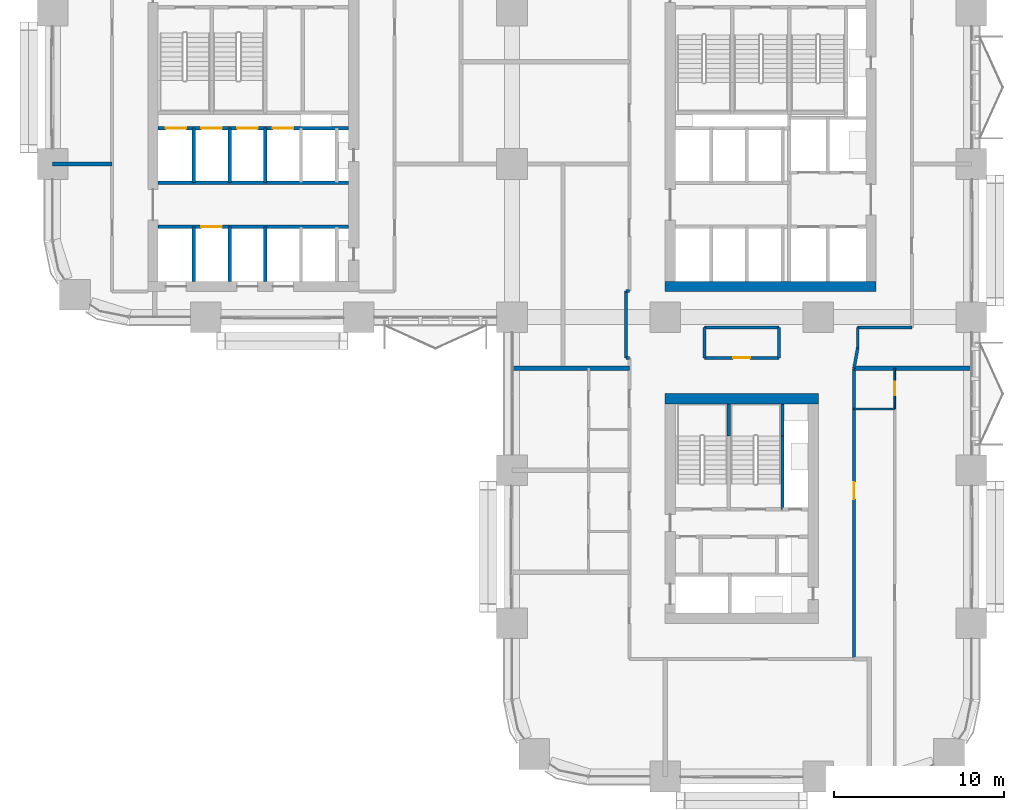
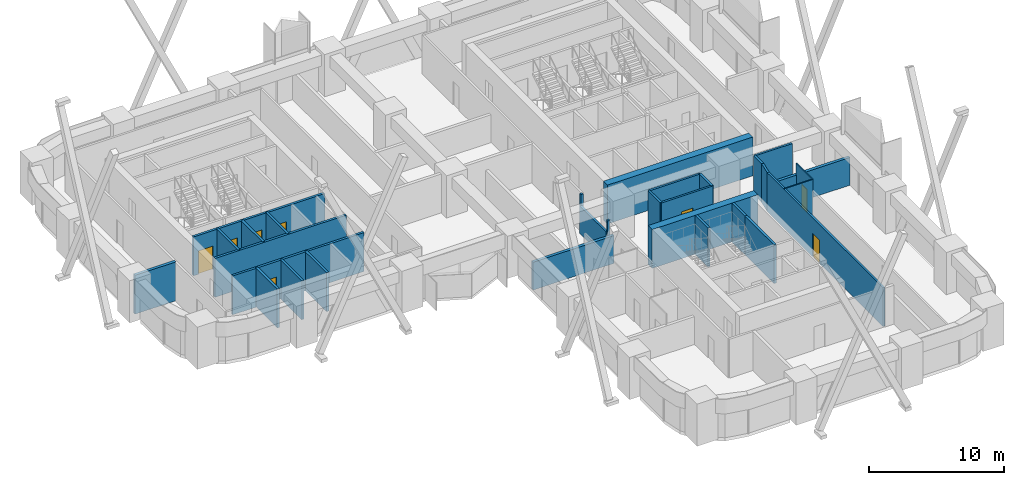
# One storey, part 14 of 19: 30 walls, 8 doors, 8 openings.
"""IFC4 building model written with IfcOpenShell, lengths in metres."""

from ifc_helpers import new_model, si_unit, direction, frame, frame_2d, origin, place, context, subcontext, project, spatial, rectangle, extrude, material, layer, layer_set, type_object, element, fill, save


model = new_model("IFC4")

# Units and contexts
model_context = context("Model", 3, precision=1e-05, world=origin(), true_north=direction((0.0, 1.0)))
body_context = subcontext(model_context, "Body", "Model", "MODEL_VIEW")
ifc_project = project(units=[si_unit("LENGTHUNIT", "METRE"), si_unit("AREAUNIT", "SQUARE_METRE"), si_unit("VOLUMEUNIT", "CUBIC_METRE"), si_unit("PLANEANGLEUNIT", "RADIAN"), si_unit("MASSUNIT", "GRAM", prefix="KILO")], contexts=[model_context])

# Site, building, storey
site_placement = place(None, origin())
site = spatial("IfcSite", under=ifc_project, at=site_placement, CompositionType="ELEMENT")
building_placement = place(site_placement, origin())
building = spatial("IfcBuilding", under=site, at=building_placement, Name="Tessera Arch", CompositionType="ELEMENT")
storey_placement = place(building_placement, frame((0.0, 0.0, 93.0)))
storey = spatial("IfcBuildingStorey", under=building, at=storey_placement, Name="L21", CompositionType="ELEMENT", Elevation=93.0)

# Walls
ifc_material_1 = material(Name="Concrete C70/85", Category="concrete")
ifc_layer_1 = layer(ifc_material_1, 0.60009765625)
ifc_layer_set_1 = layer_set([ifc_layer_1], Name="Core shell wall 600 C70-85")
wall_type_1 = type_object("IfcWallType", Name="Core shell wall 600 C70-85", PredefinedType="SHEAR", material=ifc_layer_set_1)
wall_1_placement = place(storey_placement, frame((36.0, 28.800048828125, 0.0), z_axis=(0.0, 0.0, 1.0), x_axis=(1.0, 0.0, 0.0)))
element("IfcWall", 1, at=wall_1_placement, inside=storey, type_object=wall_type_1, Name="L21 C1 core wall S", PredefinedType="SHEAR", context=body_context, shape_type="SweptSolid", body=[
    extrude(rectangle(XDim=12.39990234375, YDim=0.60009765625, at=frame_2d((6.199951171875, 0.0))), origin(), (0.0, 0.0, 1.0), 3.5),
])
wall_2_placement = place(storey_placement, frame((36.0, 22.199951171875, 0.0), z_axis=(0.0, 0.0, 1.0), x_axis=(1.0, 0.0, 0.0)))
element("IfcWall", 2, at=wall_2_placement, inside=storey, type_object=wall_type_1, Name="L21 C3 core wall N", PredefinedType="SHEAR", context=body_context, shape_type="SweptSolid", body=[
    extrude(rectangle(XDim=9.0, YDim=0.60009765625, at=frame_2d((4.5, 0.0))), origin(), (0.0, 0.0, 1.0), 3.5),
])
ifc_material_2 = material(Name="Gypsum board on deep steel stud with mineral wool", Category="steel")
ifc_layer_2 = layer(ifc_material_2, 0.175048828125)
ifc_layer_set_2 = layer_set([ifc_layer_2], Name="Corridor wall 175 EI 60")
wall_type_2 = type_object("IfcWallType", Name="Corridor wall 175 EI 60", PredefinedType="PARTITIONING", material=ifc_layer_set_2)
wall_3_placement = place(storey_placement, frame((33.699951171875, 24.590087890625, 0.0), z_axis=(0.0, 0.0, 1.0), x_axis=(1.0, 0.0, 0.0)))
element("IfcWall", 3, at=wall_3_placement, inside=storey, type_object=wall_type_2, Name="L21 partition 2", PredefinedType="PARTITIONING", context=body_context, shape_type="SweptSolid", body=[
    extrude(rectangle(XDim=0.199951171875, YDim=0.175048828125, at=frame_2d((0.10009765625, 0.0))), origin(), (0.0, 0.0, 1.0), 3.5),
])

# Wall, opening, door
wall_4_placement = place(storey_placement, frame((38.320068359375, 24.60009765625, 0.0), z_axis=(0.0, 0.0, 1.0), x_axis=(1.0, 0.0, 0.0)))
wall_4 = element("IfcWall", 4, at=wall_4_placement, inside=storey, type_object=wall_type_2, Name="L21 partition 3", PredefinedType="PARTITIONING", context=body_context, shape_type="SweptSolid", body=[
    extrude(rectangle(XDim=4.35986328125, YDim=0.175048828125, at=frame_2d((2.179931640625, 0.0))), origin(), (0.0, 0.0, 1.0), 3.5),
])
opening_1_placement = place(wall_4_placement, frame((1.679931640625, 0.0, 0.0)))
opening_1 = element("IfcOpeningElement", 5, at=opening_1_placement, cuts=wall_4, Name="Opening L21-D012", PredefinedType="OPENING", context=body_context, shape_type="SweptSolid", body=[
    extrude(rectangle(XDim=1.0, YDim=2.10009765625, at=frame_2d((0.5, 1.050048828125))), frame((0.0, 0.097412109375, 0.0), z_axis=(0.0, -1.0, 0.0), x_axis=(1.0, 0.0, 0.0)), (0.0, 0.0, 1.0), 0.195068359375),
])
ifc_material_3 = material(Name="Fire-rated door leaf")
door_type_1 = type_object("IfcDoorType", Name="Entrance door FD30S 1000 x 2100", OperationType="SINGLE_SWING_LEFT", PredefinedType="DOOR", material=ifc_material_3)
door_1_placement = place(opening_1_placement, origin())
door_1 = element("IfcDoor", 6, at=door_1_placement, inside=storey, type_object=door_type_1, Name="L21 door D012 type D03", OperationType="SINGLE_SWING_RIGHT", OverallHeight=2.10009765625, OverallWidth=1.0, PredefinedType="DOOR", context=body_context, shape_type="SweptSolid", body=[
    extrude(rectangle(XDim=1.0, YDim=2.10009765625, at=frame_2d((0.5, 1.050048828125))), frame((0.0, 0.02490234375, 0.0), z_axis=(0.0, -1.0, 0.0), x_axis=(1.0, 0.0, 0.0)), (0.0, 0.0, 1.0), 0.050048828125),
])
fill(opening_1, door_1)

# Walls
wall_5_placement = place(storey_placement, frame((38.320068359375, 26.39990234375, 0.0), z_axis=(0.0, 0.0, 1.0), x_axis=(1.0, 0.0, 0.0)))
element("IfcWall", 7, at=wall_5_placement, inside=storey, type_object=wall_type_2, Name="L21 partition 4", PredefinedType="PARTITIONING", context=body_context, shape_type="SweptSolid", body=[
    extrude(rectangle(XDim=4.35986328125, YDim=0.175048828125, at=frame_2d((2.179931640625, 0.0))), origin(), (0.0, 0.0, 1.0), 3.5),
])
wall_6_placement = place(storey_placement, frame((47.320068359375, 26.39990234375, 0.0), z_axis=(0.0, 0.0, 1.0), x_axis=(1.0, 0.0, 0.0)))
element("IfcWall", 8, at=wall_6_placement, inside=storey, type_object=wall_type_2, Name="L21 partition 5", PredefinedType="PARTITIONING", context=body_context, shape_type="SweptSolid", body=[
    extrude(rectangle(XDim=3.179931640625, YDim=0.175048828125, at=frame_2d((1.58984375, 0.0))), origin(), (0.0, 0.0, 1.0), 3.5),
])
wall_7_placement = place(storey_placement, frame((33.699951171875, 28.52001953125, 0.0), z_axis=(0.0, 0.0, 1.0), x_axis=(1.0, 0.0, 0.0)))
element("IfcWall", 9, at=wall_7_placement, inside=storey, type_object=wall_type_2, Name="L21 partition 8", PredefinedType="PARTITIONING", context=body_context, shape_type="SweptSolid", body=[
    extrude(rectangle(XDim=0.199951171875, YDim=0.175048828125, at=frame_2d((0.10009765625, 0.0))), origin(), (0.0, 0.0, 1.0), 3.5),
])
wall_8_placement = place(storey_placement, frame((33.699951171875, 24.590087890625, 0.0), z_axis=(0.0, 0.0, 1.0), x_axis=(0.0, 1.0, 0.0)))
element("IfcWall", 10, at=wall_8_placement, inside=storey, type_object=wall_type_2, Name="L21 partition 13", PredefinedType="PARTITIONING", context=body_context, shape_type="SweptSolid", body=[
    extrude(rectangle(XDim=3.929931640625, YDim=0.175048828125, at=frame_2d((1.96484375, 0.0))), origin(), (0.0, 0.0, 1.0), 2.5),
])
for number, where, z_axis, x_axis, name in (
    (11, (38.320068359375, 24.60009765625, 0.0), (0.0, 0.0, 1.0), (0.0, 1.0, 0.0), "L21 partition 16"),
    (12, (42.679931640625, 24.60009765625, 0.0), (0.0, 0.0, 1.0), (0.0, 1.0, 0.0), "L21 partition 17"),
):
    element("IfcWall", number, at=place(storey_placement, frame(where, z_axis=z_axis, x_axis=x_axis)), inside=storey, type_object=wall_type_2, Name=name, PredefinedType="PARTITIONING", context=body_context, shape_type="SweptSolid", body=[
        extrude(rectangle(XDim=1.7998046875, YDim=0.175048828125, at=frame_2d((0.89990234375, 0.0))), origin(), (0.0, 0.0, 1.0), 3.5),
    ])

# Wall, opening, door
wall_9_placement = place(storey_placement, frame((47.10009765625, 6.89990234375, 0.0), z_axis=(0.0, 0.0, 1.0), x_axis=(0.0, 1.0, 0.0)))
wall_9 = element("IfcWall", 13, at=wall_9_placement, inside=storey, type_object=wall_type_2, Name="L21 partition 18", PredefinedType="PARTITIONING", context=body_context, shape_type="SweptSolid", body=[
    extrude(rectangle(XDim=17.090087890625, YDim=0.175048828125, at=frame_2d((8.544921875, 0.0))), origin(), (0.0, 0.0, 1.0), 3.5),
])
opening_2_placement = place(wall_9_placement, frame((9.39990234375, 0.0, 0.0)))
opening_2 = element("IfcOpeningElement", 14, at=opening_2_placement, cuts=wall_9, Name="Opening L21-D003", PredefinedType="OPENING", context=body_context, shape_type="SweptSolid", body=[
    extrude(rectangle(XDim=1.0, YDim=2.10009765625, at=frame_2d((0.5, 1.050048828125))), frame((0.0, 0.097412109375, 0.0), z_axis=(0.0, -1.0, 0.0), x_axis=(1.0, 0.0, 0.0)), (0.0, 0.0, 1.0), 0.195068359375),
])
door_2_placement = place(opening_2_placement, origin())
door_2 = element("IfcDoor", 15, at=door_2_placement, inside=storey, type_object=door_type_1, Name="L21 door D003 type D03", OperationType="SINGLE_SWING_RIGHT", OverallHeight=2.10009765625, OverallWidth=1.0, PredefinedType="DOOR", context=body_context, shape_type="SweptSolid", body=[
    extrude(rectangle(XDim=1.0, YDim=2.10009765625, at=frame_2d((0.5, 1.050048828125))), frame((0.0, 0.02490234375, 0.0), z_axis=(0.0, -1.0, 0.0), x_axis=(1.0, 0.0, 0.0)), (0.0, 0.0, 1.0), 0.050048828125),
])
fill(opening_2, door_2)

# Walls
wall_10_placement = place(storey_placement, frame((47.320068359375, 25.18994140625, 0.0), z_axis=(0.0, 0.0, 1.0), x_axis=(0.0, 1.0, 0.0)))
element("IfcWall", 16, at=wall_10_placement, inside=storey, type_object=wall_type_2, Name="L21 partition 19", PredefinedType="PARTITIONING", context=body_context, shape_type="SweptSolid", body=[
    extrude(rectangle(XDim=1.2099609375, YDim=0.175048828125, at=frame_2d((0.60498046875, 0.0))), origin(), (0.0, 0.0, 1.0), 3.5),
])
wall_11_placement = place(storey_placement, frame((47.320068359375, 25.18994140625, 0.0), z_axis=(0.0, 0.0, 1.0), x_axis=(-0.180412472784, -0.983591042895, 0.0)))
element("IfcWall", 17, at=wall_11_placement, inside=storey, type_object=wall_type_2, Name="L21 partition 48", PredefinedType="PARTITIONING", context=body_context, shape_type="SweptSolid", body=[
    extrude(rectangle(XDim=1.209716796875, YDim=0.175048828125, at=frame_2d((0.60498046875, 0.0))), origin(), (0.0, 0.0, 1.0), 3.5),
])
ifc_material_4 = material(Name="Double gypsum board on twin steel stud with acoustic mineral wool", Category="steel")
ifc_layer_3 = layer(ifc_material_4, 0.25)
ifc_layer_set_3 = layer_set([ifc_layer_3], Name="Party wall 250 EI 60")
wall_type_3 = type_object("IfcWallType", Name="Party wall 250 EI 60", PredefinedType="PARTITIONING", material=ifc_layer_set_3)
wall_12_placement = place(storey_placement, frame((27.0, 24.0, 0.0), z_axis=(0.0, 0.0, 1.0), x_axis=(1.0, 0.0, 0.0)))
element("IfcWall", 18, at=wall_12_placement, inside=storey, type_object=wall_type_3, Name="L21 partition 27", PredefinedType="PARTITIONING", context=body_context, shape_type="SweptSolid", body=[
    extrude(rectangle(XDim=6.89990234375, YDim=0.25, at=frame_2d((3.449951171875, 0.0))), origin(), (0.0, 0.0, 1.0), 2.5),
])
wall_13_placement = place(storey_placement, frame((47.101806640625, 24.0, 0.0), z_axis=(0.0, 0.0, 1.0), x_axis=(1.0, 0.0, 0.0)))
element("IfcWall", 19, at=wall_13_placement, inside=storey, type_object=wall_type_3, Name="L21 partition 28", PredefinedType="PARTITIONING", context=body_context, shape_type="SweptSolid", body=[
    extrude(rectangle(XDim=6.898193359375, YDim=0.25, at=frame_2d((3.44921875, 0.0))), origin(), (0.0, 0.0, 1.0), 2.5),
])
wall_14_placement = place(storey_placement, frame((0.0, 36.0, 0.0), z_axis=(0.0, 0.0, 1.0), x_axis=(1.0, 0.0, 0.0)))
element("IfcWall", 20, at=wall_14_placement, inside=storey, type_object=wall_type_3, Name="L21 partition 29", PredefinedType="PARTITIONING", context=body_context, shape_type="SweptSolid", body=[
    extrude(rectangle(XDim=3.5, YDim=0.25, at=frame_2d((1.75, 0.0))), origin(), (0.0, 0.0, 1.0), 3.5),
])
ifc_material_5 = material(Name="Concrete C40/50", Category="concrete")
ifc_layer_4 = layer(ifc_material_5, 0.199951171875)
ifc_layer_set_4 = layer_set([ifc_layer_4], Name="Shaft wall 200 EI 120")
wall_type_4 = type_object("IfcWallType", Name="Shaft wall 200 EI 120", PredefinedType="SOLIDWALL", material=ifc_layer_set_4)
wall_15_placement = place(storey_placement, frame((8.300048828125, 29.10009765625, 0.0), z_axis=(0.0, 0.0, 1.0), x_axis=(0.0, 1.0, 0.0)))
element("IfcWall", 21, at=wall_15_placement, inside=storey, type_object=wall_type_4, Name="L21 C2 shaft wall 1", PredefinedType="SOLIDWALL", context=body_context, shape_type="SweptSolid", body=[
    extrude(rectangle(XDim=3.199951171875, YDim=0.199951171875, at=frame_2d((1.60009765625, 0.0))), origin(), (0.0, 0.0, 1.0), 3.5),
])
wall_16_placement = place(storey_placement, frame((8.300048828125, 34.89990234375, 0.0), z_axis=(0.0, 0.0, 1.0), x_axis=(0.0, 1.0, 0.0)))
element("IfcWall", 22, at=wall_16_placement, inside=storey, type_object=wall_type_4, Name="L21 C2 shaft wall 2", PredefinedType="SOLIDWALL", context=body_context, shape_type="SweptSolid", body=[
    extrude(rectangle(XDim=3.2001953125, YDim=0.199951171875, at=frame_2d((1.60009765625, 0.0))), origin(), (0.0, 0.0, 1.0), 3.5),
])
wall_17_placement = place(storey_placement, frame((10.39990234375, 29.10009765625, 0.0), z_axis=(0.0, 0.0, 1.0), x_axis=(0.0, 1.0, 0.0)))
element("IfcWall", 23, at=wall_17_placement, inside=storey, type_object=wall_type_4, Name="L21 C2 shaft wall 6", PredefinedType="SOLIDWALL", context=body_context, shape_type="SweptSolid", body=[
    extrude(rectangle(XDim=3.199951171875, YDim=0.199951171875, at=frame_2d((1.60009765625, 0.0))), origin(), (0.0, 0.0, 1.0), 3.5),
])
wall_18_placement = place(storey_placement, frame((10.39990234375, 34.89990234375, 0.0), z_axis=(0.0, 0.0, 1.0), x_axis=(0.0, 1.0, 0.0)))
element("IfcWall", 24, at=wall_18_placement, inside=storey, type_object=wall_type_4, Name="L21 C2 shaft wall 7", PredefinedType="SOLIDWALL", context=body_context, shape_type="SweptSolid", body=[
    extrude(rectangle(XDim=3.2001953125, YDim=0.199951171875, at=frame_2d((1.60009765625, 0.0))), origin(), (0.0, 0.0, 1.0), 3.5),
])
wall_19_placement = place(storey_placement, frame((12.5, 29.10009765625, 0.0), z_axis=(0.0, 0.0, 1.0), x_axis=(0.0, 1.0, 0.0)))
element("IfcWall", 25, at=wall_19_placement, inside=storey, type_object=wall_type_4, Name="L21 C2 shaft wall 8", PredefinedType="SOLIDWALL", context=body_context, shape_type="SweptSolid", body=[
    extrude(rectangle(XDim=3.199951171875, YDim=0.199951171875, at=frame_2d((1.60009765625, 0.0))), origin(), (0.0, 0.0, 1.0), 3.5),
])
wall_20_placement = place(storey_placement, frame((12.5, 34.89990234375, 0.0), z_axis=(0.0, 0.0, 1.0), x_axis=(0.0, 1.0, 0.0)))
element("IfcWall", 26, at=wall_20_placement, inside=storey, type_object=wall_type_4, Name="L21 C2 shaft wall 9", PredefinedType="SOLIDWALL", context=body_context, shape_type="SweptSolid", body=[
    extrude(rectangle(XDim=3.2001953125, YDim=0.199951171875, at=frame_2d((1.60009765625, 0.0))), origin(), (0.0, 0.0, 1.0), 3.5),
])

# Wall, opening, door
wall_21_placement = place(storey_placement, frame((6.199951171875, 32.300048828125, 0.0), z_axis=(0.0, 0.0, 1.0), x_axis=(1.0, 0.0, 0.0)))
wall_21 = element("IfcWall", 27, at=wall_21_placement, inside=storey, type_object=wall_type_4, Name="L21 C2 shaft wall 17", PredefinedType="SOLIDWALL", context=body_context, shape_type="SweptSolid", body=[
    extrude(rectangle(XDim=11.199951171875, YDim=0.199951171875, at=frame_2d((5.60009765625, 0.0))), origin(), (0.0, 0.0, 1.0), 3.5),
])
opening_3_placement = place(wall_21_placement, frame((2.550048828125, 0.0, 0.0)))
opening_3 = element("IfcOpeningElement", 28, at=opening_3_placement, cuts=wall_21, Name="Opening L21-C14", PredefinedType="OPENING", context=body_context, shape_type="SweptSolid", body=[
    extrude(rectangle(XDim=1.199951171875, YDim=2.10009765625, at=frame_2d((0.60009765625, 1.050048828125))), frame((0.0, 0.10986328125, 0.0), z_axis=(0.0, -1.0, 0.0), x_axis=(1.0, 0.0, 0.0)), (0.0, 0.0, 1.0), 0.219970703125),
])
ifc_material_6 = material(Name="Stainless steel AISI 304", Category="steel")
door_type_2 = type_object("IfcDoorType", Name="Sliding landing door 1200 x 2100", OperationType="SLIDING_TO_LEFT", PredefinedType="DOOR", material=ifc_material_6)
door_3_placement = place(opening_3_placement, origin())
door_3 = element("IfcDoor", 29, at=door_3_placement, inside=storey, type_object=door_type_2, Name="L21 LR2 lift landing door C14 type LD", OperationType="SLIDING_TO_LEFT", OverallHeight=2.10009765625, OverallWidth=1.199951171875, PredefinedType="DOOR", context=body_context, shape_type="SweptSolid", body=[
    extrude(rectangle(XDim=1.199951171875, YDim=2.10009765625, at=frame_2d((0.60009765625, 1.050048828125))), frame((0.0, 0.02490234375, 0.0), z_axis=(0.0, -1.0, 0.0), x_axis=(1.0, 0.0, 0.0)), (0.0, 0.0, 1.0), 0.050048828125),
])
fill(opening_3, door_3)

# Wall
wall_22_placement = place(storey_placement, frame((6.199951171875, 34.89990234375, 0.0), z_axis=(0.0, 0.0, 1.0), x_axis=(1.0, 0.0, 0.0)))
element("IfcWall", 30, at=wall_22_placement, inside=storey, type_object=wall_type_4, Name="L21 C2 shaft wall 18", PredefinedType="SOLIDWALL", context=body_context, shape_type="SweptSolid", body=[
    extrude(rectangle(XDim=11.199951171875, YDim=0.199951171875, at=frame_2d((5.60009765625, 0.0))), origin(), (0.0, 0.0, 1.0), 3.5),
])

# Wall, openings, doors
wall_23_placement = place(storey_placement, frame((6.199951171875, 38.10009765625, 0.0), z_axis=(0.0, 0.0, 1.0), x_axis=(1.0, 0.0, 0.0)))
wall_23 = element("IfcWall", 31, at=wall_23_placement, inside=storey, type_object=wall_type_4, Name="L21 C2 shaft wall 19", PredefinedType="SOLIDWALL", context=body_context, shape_type="SweptSolid", body=[
    extrude(rectangle(XDim=11.199951171875, YDim=0.199951171875, at=frame_2d((5.60009765625, 0.0))), origin(), (0.0, 0.0, 1.0), 3.5),
])
opening_4_placement = place(wall_23_placement, frame((0.449951171875, 0.0, 0.0)))
opening_4 = element("IfcOpeningElement", 32, at=opening_4_placement, cuts=wall_23, Name="Opening L21-C17", PredefinedType="OPENING", context=body_context, shape_type="SweptSolid", body=[
    extrude(rectangle(XDim=1.199951171875, YDim=2.10009765625, at=frame_2d((0.60009765625, 1.050048828125))), frame((0.0, 0.10986328125, 0.0), z_axis=(0.0, -1.0, 0.0), x_axis=(1.0, 0.0, 0.0)), (0.0, 0.0, 1.0), 0.219970703125),
])
opening_5_placement = place(wall_23_placement, frame((2.550048828125, 0.0, 0.0)))
opening_5 = element("IfcOpeningElement", 33, at=opening_5_placement, cuts=wall_23, Name="Opening L21-C18", PredefinedType="OPENING", context=body_context, shape_type="SweptSolid", body=[
    extrude(rectangle(XDim=1.199951171875, YDim=2.10009765625, at=frame_2d((0.60009765625, 1.050048828125))), frame((0.0, 0.10986328125, 0.0), z_axis=(0.0, -1.0, 0.0), x_axis=(1.0, 0.0, 0.0)), (0.0, 0.0, 1.0), 0.219970703125),
])
opening_6_placement = place(wall_23_placement, frame((4.64990234375, 0.0, 0.0)))
opening_6 = element("IfcOpeningElement", 34, at=opening_6_placement, cuts=wall_23, Name="Opening L21-C19", PredefinedType="OPENING", context=body_context, shape_type="SweptSolid", body=[
    extrude(rectangle(XDim=1.199951171875, YDim=2.10009765625, at=frame_2d((0.60009765625, 1.050048828125))), frame((0.0, 0.10986328125, 0.0), z_axis=(0.0, -1.0, 0.0), x_axis=(1.0, 0.0, 0.0)), (0.0, 0.0, 1.0), 0.219970703125),
])
opening_7_placement = place(wall_23_placement, frame((6.75, 0.0, 0.0)))
opening_7 = element("IfcOpeningElement", 35, at=opening_7_placement, cuts=wall_23, Name="Opening L21-C20", PredefinedType="OPENING", context=body_context, shape_type="SweptSolid", body=[
    extrude(rectangle(XDim=1.199951171875, YDim=2.10009765625, at=frame_2d((0.60009765625, 1.050048828125))), frame((0.0, 0.10986328125, 0.0), z_axis=(0.0, -1.0, 0.0), x_axis=(1.0, 0.0, 0.0)), (0.0, 0.0, 1.0), 0.219970703125),
])
door_4_placement = place(opening_4_placement, origin())
door_4 = element("IfcDoor", 36, at=door_4_placement, inside=storey, type_object=door_type_2, Name="L21 LR5 lift landing door C17 type LD", OperationType="SLIDING_TO_LEFT", OverallHeight=2.10009765625, OverallWidth=1.199951171875, PredefinedType="DOOR", context=body_context, shape_type="SweptSolid", body=[
    extrude(rectangle(XDim=1.199951171875, YDim=2.10009765625, at=frame_2d((0.60009765625, 1.050048828125))), frame((0.0, 0.02490234375, 0.0), z_axis=(0.0, -1.0, 0.0), x_axis=(1.0, 0.0, 0.0)), (0.0, 0.0, 1.0), 0.050048828125),
])
fill(opening_4, door_4)
door_5_placement = place(opening_5_placement, origin())
door_5 = element("IfcDoor", 37, at=door_5_placement, inside=storey, type_object=door_type_2, Name="L21 LR6 lift landing door C18 type LD", OperationType="SLIDING_TO_LEFT", OverallHeight=2.10009765625, OverallWidth=1.199951171875, PredefinedType="DOOR", context=body_context, shape_type="SweptSolid", body=[
    extrude(rectangle(XDim=1.199951171875, YDim=2.10009765625, at=frame_2d((0.60009765625, 1.050048828125))), frame((0.0, 0.02490234375, 0.0), z_axis=(0.0, -1.0, 0.0), x_axis=(1.0, 0.0, 0.0)), (0.0, 0.0, 1.0), 0.050048828125),
])
fill(opening_5, door_5)
door_6_placement = place(opening_6_placement, origin())
door_6 = element("IfcDoor", 38, at=door_6_placement, inside=storey, type_object=door_type_2, Name="L21 LR7 lift landing door C19 type LD", OperationType="SLIDING_TO_LEFT", OverallHeight=2.10009765625, OverallWidth=1.199951171875, PredefinedType="DOOR", context=body_context, shape_type="SweptSolid", body=[
    extrude(rectangle(XDim=1.199951171875, YDim=2.10009765625, at=frame_2d((0.60009765625, 1.050048828125))), frame((0.0, 0.02490234375, 0.0), z_axis=(0.0, -1.0, 0.0), x_axis=(1.0, 0.0, 0.0)), (0.0, 0.0, 1.0), 0.050048828125),
])
fill(opening_6, door_6)
door_7_placement = place(opening_7_placement, origin())
door_7 = element("IfcDoor", 39, at=door_7_placement, inside=storey, type_object=door_type_2, Name="L21 LR8 lift landing door C20 type LD", OperationType="SLIDING_TO_LEFT", OverallHeight=2.10009765625, OverallWidth=1.199951171875, PredefinedType="DOOR", context=body_context, shape_type="SweptSolid", body=[
    extrude(rectangle(XDim=1.199951171875, YDim=2.10009765625, at=frame_2d((0.60009765625, 1.050048828125))), frame((0.0, 0.02490234375, 0.0), z_axis=(0.0, -1.0, 0.0), x_axis=(1.0, 0.0, 0.0)), (0.0, 0.0, 1.0), 0.050048828125),
])
fill(opening_7, door_7)

# Walls
ifc_material_7 = material(Name="Concrete C40/50", Category="concrete")
ifc_layer_5 = layer(ifc_material_7, 0.199951171875)
ifc_layer_set_5 = layer_set([ifc_layer_5], Name="Stair well wall 200 REI 180")
wall_type_5 = type_object("IfcWallType", Name="Stair well wall 200 REI 180", PredefinedType="SOLIDWALL", material=ifc_layer_set_5)
wall_24_placement = place(storey_placement, frame((39.75, 20.0, 0.0), z_axis=(0.0, 0.0, 1.0), x_axis=(0.0, 1.0, 0.0)))
element("IfcWall", 40, at=wall_24_placement, inside=storey, type_object=wall_type_5, Name="L21 C3 shaft wall 3", PredefinedType="SOLIDWALL", context=body_context, shape_type="SweptSolid", body=[
    extrude(rectangle(XDim=1.89990234375, YDim=0.199951171875, at=frame_2d((0.949951171875, 0.0))), origin(), (0.0, 0.0, 1.0), 3.5),
])
wall_25_placement = place(storey_placement, frame((42.89990234375, 15.699951171875, 0.0), z_axis=(0.0, 0.0, 1.0), x_axis=(0.0, 1.0, 0.0)))
element("IfcWall", 41, at=wall_25_placement, inside=storey, type_object=wall_type_5, Name="L21 C3 shaft wall 6", PredefinedType="SOLIDWALL", context=body_context, shape_type="SweptSolid", body=[
    extrude(rectangle(XDim=4.300048828125, YDim=0.199951171875, at=frame_2d((2.14990234375, 0.0))), origin(), (0.0, 0.0, 1.0), 3.5),
])
wall_26_placement = place(storey_placement, frame((42.89990234375, 20.0, 0.0), z_axis=(0.0, 0.0, 1.0), x_axis=(0.0, 1.0, 0.0)))
element("IfcWall", 42, at=wall_26_placement, inside=storey, type_object=wall_type_5, Name="L21 C3 shaft wall 7", PredefinedType="SOLIDWALL", context=body_context, shape_type="SweptSolid", body=[
    extrude(rectangle(XDim=1.89990234375, YDim=0.199951171875, at=frame_2d((0.949951171875, 0.0))), origin(), (0.0, 0.0, 1.0), 3.5),
])
ifc_material_8 = material(Name="Moisture-resistant board on pre-plumbed steel stud", Category="steel")
ifc_layer_6 = layer(ifc_material_8, 0.10009765625)
ifc_layer_set_6 = layer_set([ifc_layer_6], Name="Wet wall 100")
wall_type_6 = type_object("IfcWallType", Name="Wet wall 100", PredefinedType="PARTITIONING", material=ifc_layer_set_6)
wall_27_placement = place(storey_placement, frame((47.10009765625, 21.60009765625, 0.0), z_axis=(0.0, 0.0, 1.0), x_axis=(1.0, 0.0, 0.0)))
element("IfcWall", 43, at=wall_27_placement, inside=storey, type_object=wall_type_6, Name="L21 partition 44", PredefinedType="PARTITIONING", context=body_context, shape_type="SweptSolid", body=[
    extrude(rectangle(XDim=2.39990234375, YDim=0.10009765625, at=frame_2d((1.199951171875, 0.0))), origin(), (0.0, 0.0, 1.0), 3.5),
])

# Wall, opening, door
wall_28_placement = place(storey_placement, frame((49.5, 21.60009765625, 0.0), z_axis=(0.0, 0.0, 1.0), x_axis=(0.0, 1.0, 0.0)))
wall_28 = element("IfcWall", 44, at=wall_28_placement, inside=storey, type_object=wall_type_6, Name="L21 partition 47", PredefinedType="PARTITIONING", context=body_context, shape_type="SweptSolid", body=[
    extrude(rectangle(XDim=2.39990234375, YDim=0.10009765625, at=frame_2d((1.199951171875, 0.0))), origin(), (0.0, 0.0, 1.0), 3.5),
])
opening_8_placement = place(wall_28_placement, frame((0.800048828125, 0.0, 0.0)))
opening_8 = element("IfcOpeningElement", 45, at=opening_8_placement, cuts=wall_28, Name="Opening L21-D005", PredefinedType="OPENING", context=body_context, shape_type="SweptSolid", body=[
    extrude(rectangle(XDim=0.800048828125, YDim=2.10009765625, at=frame_2d((0.39990234375, 1.050048828125))), frame((0.0, 0.06005859375, 0.0), z_axis=(0.0, -1.0, 0.0), x_axis=(1.0, 0.0, 0.0)), (0.0, 0.0, 1.0), 0.1201171875),
])
ifc_material_9 = material(Name="Timber door leaf", Category="wood")
door_type_3 = type_object("IfcDoorType", Name="En-suite door 800 x 2100", OperationType="SINGLE_SWING_LEFT", PredefinedType="DOOR", material=ifc_material_9)
door_8_placement = place(opening_8_placement, origin())
door_8 = element("IfcDoor", 46, at=door_8_placement, inside=storey, type_object=door_type_3, Name="L21 door D005 type D02", OperationType="SINGLE_SWING_RIGHT", OverallHeight=2.10009765625, OverallWidth=0.800048828125, PredefinedType="DOOR", context=body_context, shape_type="SweptSolid", body=[
    extrude(rectangle(XDim=0.800048828125, YDim=2.10009765625, at=frame_2d((0.39990234375, 1.050048828125))), frame((0.0, 0.02490234375, 0.0), z_axis=(0.0, -1.0, 0.0), x_axis=(1.0, 0.0, 0.0)), (0.0, 0.0, 1.0), 0.050048828125),
])
fill(opening_8, door_8)

save(model, "model.ifc")
